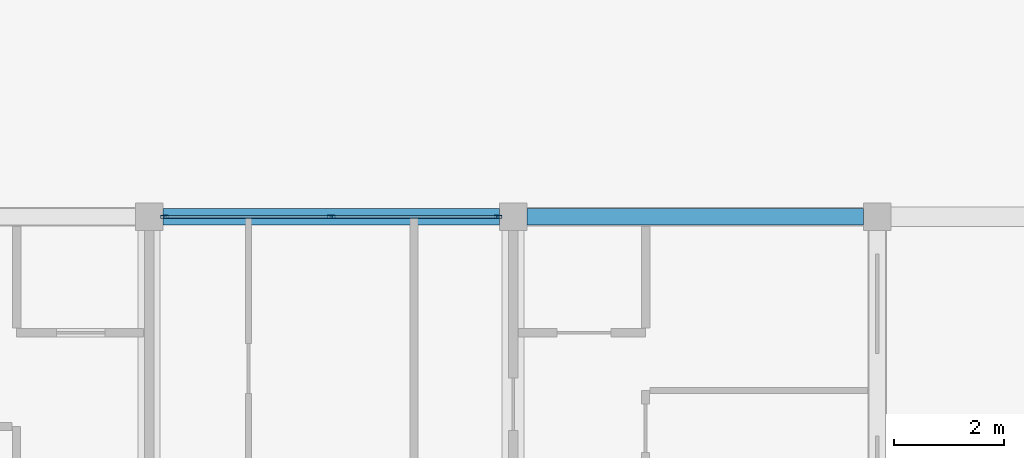
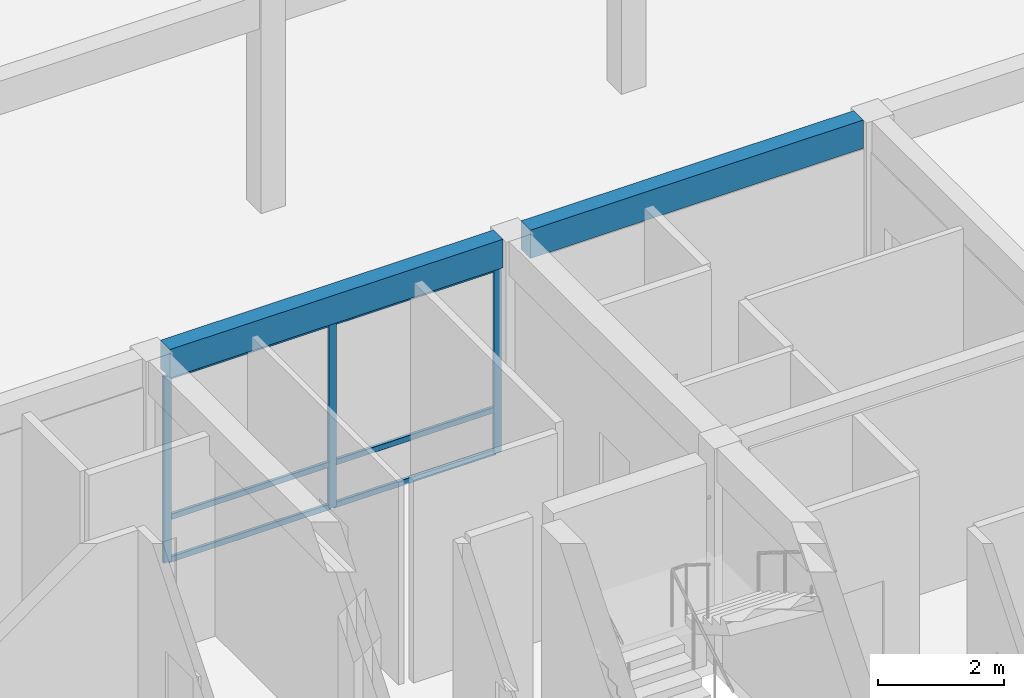
# One storey, part 40 of 75: 9 members, 2 beams, 1 element without a shape of its own.
"""IFC4 building model written with IfcOpenShell, lengths in metres."""

from ifc_helpers import new_model, si_unit, direction, frame, origin, origin_2d, place, context, subcontext, project, spatial, rectangle, hollow_rectangle, extrude, material, material_profile, profile_set, type_object, element, aggregate, save


model = new_model("IFC4")

# Units and contexts
model_context = context("Model", 3, precision=1e-05, world=origin(), true_north=direction((0.0, 1.0)))
body_context = subcontext(model_context, "Body", "Model", "MODEL_VIEW")
ifc_project = project(units=[si_unit("LENGTHUNIT", "METRE"), si_unit("AREAUNIT", "SQUARE_METRE"), si_unit("VOLUMEUNIT", "CUBIC_METRE"), si_unit("PLANEANGLEUNIT", "RADIAN"), si_unit("MASSUNIT", "GRAM", prefix="KILO")], contexts=[model_context])

# Site, building, storey
site_placement = place(None, origin())
site = spatial("IfcSite", under=ifc_project, at=site_placement, CompositionType="ELEMENT")
building_placement = place(site_placement, origin())
building = spatial("IfcBuilding", under=site, at=building_placement, Name="Kernevlak Ridge Housing Community", CompositionType="ELEMENT")
storey_placement = place(building_placement, origin())
storey = spatial("IfcBuildingStorey", under=building, at=storey_placement, Name="L00", CompositionType="ELEMENT", Elevation=0.0)

# Curtain wall, members
ifc_material_1 = material(Name="Aluminium EN AW-6060 anodised and laminated glass", Category="aluminium")
curtain_wall_type = type_object("IfcCurtainWallType", Name="CW-14", PredefinedType="NOTDEFINED", material=ifc_material_1)
curtain_wall_placement = place(storey_placement, origin())
curtain_wall = element("IfcCurtainWall", 1, at=curtain_wall_placement, inside=storey, type_object=curtain_wall_type, Name="Curtain wall CW-14 CW-L00-102", PredefinedType="NOTDEFINED")
ifc_material_2 = material(Name="Aluminium EN AW-6060 anodised", Category="aluminium")
ifc_material_profile_1 = material_profile(ifc_material_2, hollow_rectangle(XDim=0.054931640625, YDim=0.139892578125, WallThickness=0.00390625, InnerFilletRadius=0.001953125, OuterFilletRadius=0.00390625, at=origin_2d()), Name="ALU 55x140x4")
ifc_profile_set_1 = profile_set([ifc_material_profile_1], Name="Aluminium EN AW-6060 anodised")
member_type_1 = type_object("IfcMemberType", Name="MU-01", PredefinedType="MULLION", material=ifc_profile_set_1)
member_1_placement = place(storey_placement, frame((132.87744140625, 42.0, 0.0), z_axis=(0.0, 0.0, 1.0), x_axis=(0.0, 1.0, 0.0)))
member_1 = element("IfcMember", 2, at=member_1_placement, type_object=member_type_1, Name="CW-14 mullion 1", PredefinedType="MULLION", context=body_context, shape_type="SweptSolid", body=[
    extrude(hollow_rectangle(XDim=0.054931640625, YDim=0.139892578125, WallThickness=0.00390625, InnerFilletRadius=0.001953125, OuterFilletRadius=0.00390625, at=origin_2d()), origin(), (0.0, 0.0, 1.0), 3.60009765625),
])
member_2_placement = place(storey_placement, frame((135.89990234375, 42.0, 0.0), z_axis=(0.0, 0.0, 1.0), x_axis=(0.0, 1.0, 0.0)))
member_2 = element("IfcMember", 3, at=member_2_placement, type_object=member_type_1, Name="CW-14 mullion 2", PredefinedType="MULLION", context=body_context, shape_type="SweptSolid", body=[
    extrude(hollow_rectangle(XDim=0.054931640625, YDim=0.139892578125, WallThickness=0.00390625, InnerFilletRadius=0.001953125, OuterFilletRadius=0.00390625, at=origin_2d()), origin(), (0.0, 0.0, 1.0), 3.60009765625),
])
member_3_placement = place(storey_placement, frame((138.922607421875, 42.0, 0.0), z_axis=(0.0, 0.0, 1.0), x_axis=(0.0, 1.0, 0.0)))
member_3 = element("IfcMember", 4, at=member_3_placement, type_object=member_type_1, Name="CW-14 mullion 3", PredefinedType="MULLION", context=body_context, shape_type="SweptSolid", body=[
    extrude(hollow_rectangle(XDim=0.054931640625, YDim=0.139892578125, WallThickness=0.00390625, InnerFilletRadius=0.001953125, OuterFilletRadius=0.00390625, at=origin_2d()), origin(), (0.0, 0.0, 1.0), 3.60009765625),
])

# Beams
ifc_material_3 = material(Name="Concrete C35/45", Category="concrete")
ifc_material_profile_2 = material_profile(ifc_material_3, rectangle(XDim=0.300048828125, YDim=0.550048828125, at=origin_2d()), Name="RC 300x550")
ifc_profile_set_2 = profile_set([ifc_material_profile_2], Name="Concrete C35/45")
beam_type = type_object("IfcBeamType", Name="SP-01", PredefinedType="SPANDREL", material=ifc_profile_set_2)
beam_1_placement = place(storey_placement, frame((132.85009765625, 42.0, 3.925048828125), z_axis=(1.0, 0.0, 0.0), x_axis=(0.0, 1.0, 0.0)))
element("IfcBeam", 5, at=beam_1_placement, inside=storey, type_object=beam_type, Name="Beam SP-01 L00 1015", PredefinedType="SPANDREL", context=body_context, shape_type="SweptSolid", body=[
    extrude(rectangle(XDim=0.300048828125, YDim=0.550048828125, at=origin_2d()), origin(), (0.0, 0.0, 1.0), 6.099853515625),
])
beam_2_placement = place(storey_placement, frame((139.449951171875, 42.0, 3.925048828125), z_axis=(1.0, 0.0, 0.0), x_axis=(0.0, 1.0, 0.0)))
element("IfcBeam", 6, at=beam_2_placement, inside=storey, type_object=beam_type, Name="Beam SP-01 L00 1016", PredefinedType="SPANDREL", context=body_context, shape_type="SweptSolid", body=[
    extrude(rectangle(XDim=0.300048828125, YDim=0.550048828125, at=origin_2d()), origin(), (0.0, 0.0, 1.0), 6.10009765625),
])

# Member
ifc_material_profile_3 = material_profile(ifc_material_2, hollow_rectangle(XDim=0.054931640625, YDim=0.110107421875, WallThickness=0.00390625, InnerFilletRadius=0.001953125, OuterFilletRadius=0.00390625, at=origin_2d()), Name="ALU 55x110x4")
ifc_profile_set_3 = profile_set([ifc_material_profile_3], Name="Aluminium EN AW-6060 anodised")
member_type_2 = type_object("IfcMemberType", Name="TM-01", PredefinedType="USERDEFINED", material=ifc_profile_set_3)
member_4_placement = place(storey_placement, frame((132.905029296875, 42.0, 0.027587890625), z_axis=(1.0, 0.0, 0.0), x_axis=(0.0, 1.0, 0.0)))
member_4 = element("IfcMember", 7, at=member_4_placement, type_object=member_type_2, Name="CW-14 transom 1.1", ObjectType="TRANSOM", PredefinedType="USERDEFINED", context=body_context, shape_type="SweptSolid", body=[
    extrude(hollow_rectangle(XDim=0.054931640625, YDim=0.110107421875, WallThickness=0.00390625, InnerFilletRadius=0.001953125, OuterFilletRadius=0.00390625, at=origin_2d()), origin(), (0.0, 0.0, 1.0), 2.967529296875),
])

member_5_placement = place(storey_placement, frame((132.905029296875, 42.0, 0.85009765625), z_axis=(1.0, 0.0, 0.0), x_axis=(0.0, 1.0, 0.0)))
member_5 = element("IfcMember", 8, at=member_5_placement, type_object=member_type_2, Name="CW-14 transom 1.2", ObjectType="TRANSOM", PredefinedType="USERDEFINED", context=body_context, shape_type="SweptSolid", body=[
    extrude(hollow_rectangle(XDim=0.054931640625, YDim=0.110107421875, WallThickness=0.00390625, InnerFilletRadius=0.001953125, OuterFilletRadius=0.00390625, at=origin_2d()), origin(), (0.0, 0.0, 1.0), 2.967529296875),
])

member_6_placement = place(storey_placement, frame((132.905029296875, 42.0, 3.572509765625), z_axis=(1.0, 0.0, 0.0), x_axis=(0.0, 1.0, 0.0)))
member_6 = element("IfcMember", 9, at=member_6_placement, type_object=member_type_2, Name="CW-14 transom 1.3", ObjectType="TRANSOM", PredefinedType="USERDEFINED", context=body_context, shape_type="SweptSolid", body=[
    extrude(hollow_rectangle(XDim=0.054931640625, YDim=0.110107421875, WallThickness=0.00390625, InnerFilletRadius=0.001953125, OuterFilletRadius=0.00390625, at=origin_2d()), origin(), (0.0, 0.0, 1.0), 2.967529296875),
])

member_7_placement = place(storey_placement, frame((135.927490234375, 42.0, 0.027587890625), z_axis=(1.0, 0.0, 0.0), x_axis=(0.0, 1.0, 0.0)))
member_7 = element("IfcMember", 10, at=member_7_placement, type_object=member_type_2, Name="CW-14 transom 2.1", ObjectType="TRANSOM", PredefinedType="USERDEFINED", context=body_context, shape_type="SweptSolid", body=[
    extrude(hollow_rectangle(XDim=0.054931640625, YDim=0.110107421875, WallThickness=0.00390625, InnerFilletRadius=0.001953125, OuterFilletRadius=0.00390625, at=origin_2d()), origin(), (0.0, 0.0, 1.0), 2.967529296875),
])

member_8_placement = place(storey_placement, frame((135.927490234375, 42.0, 0.85009765625), z_axis=(1.0, 0.0, 0.0), x_axis=(0.0, 1.0, 0.0)))
member_8 = element("IfcMember", 11, at=member_8_placement, type_object=member_type_2, Name="CW-14 transom 2.2", ObjectType="TRANSOM", PredefinedType="USERDEFINED", context=body_context, shape_type="SweptSolid", body=[
    extrude(hollow_rectangle(XDim=0.054931640625, YDim=0.110107421875, WallThickness=0.00390625, InnerFilletRadius=0.001953125, OuterFilletRadius=0.00390625, at=origin_2d()), origin(), (0.0, 0.0, 1.0), 2.967529296875),
])

member_9_placement = place(storey_placement, frame((135.927490234375, 42.0, 3.572509765625), z_axis=(1.0, 0.0, 0.0), x_axis=(0.0, 1.0, 0.0)))
member_9 = element("IfcMember", 12, at=member_9_placement, type_object=member_type_2, Name="CW-14 transom 2.3", ObjectType="TRANSOM", PredefinedType="USERDEFINED", context=body_context, shape_type="SweptSolid", body=[
    extrude(hollow_rectangle(XDim=0.054931640625, YDim=0.110107421875, WallThickness=0.00390625, InnerFilletRadius=0.001953125, OuterFilletRadius=0.00390625, at=origin_2d()), origin(), (0.0, 0.0, 1.0), 2.967529296875),
])

aggregate(curtain_wall, [member_1, member_2, member_3, member_4, member_5, member_6, member_7, member_8, member_9])

save(model, "model.ifc")
